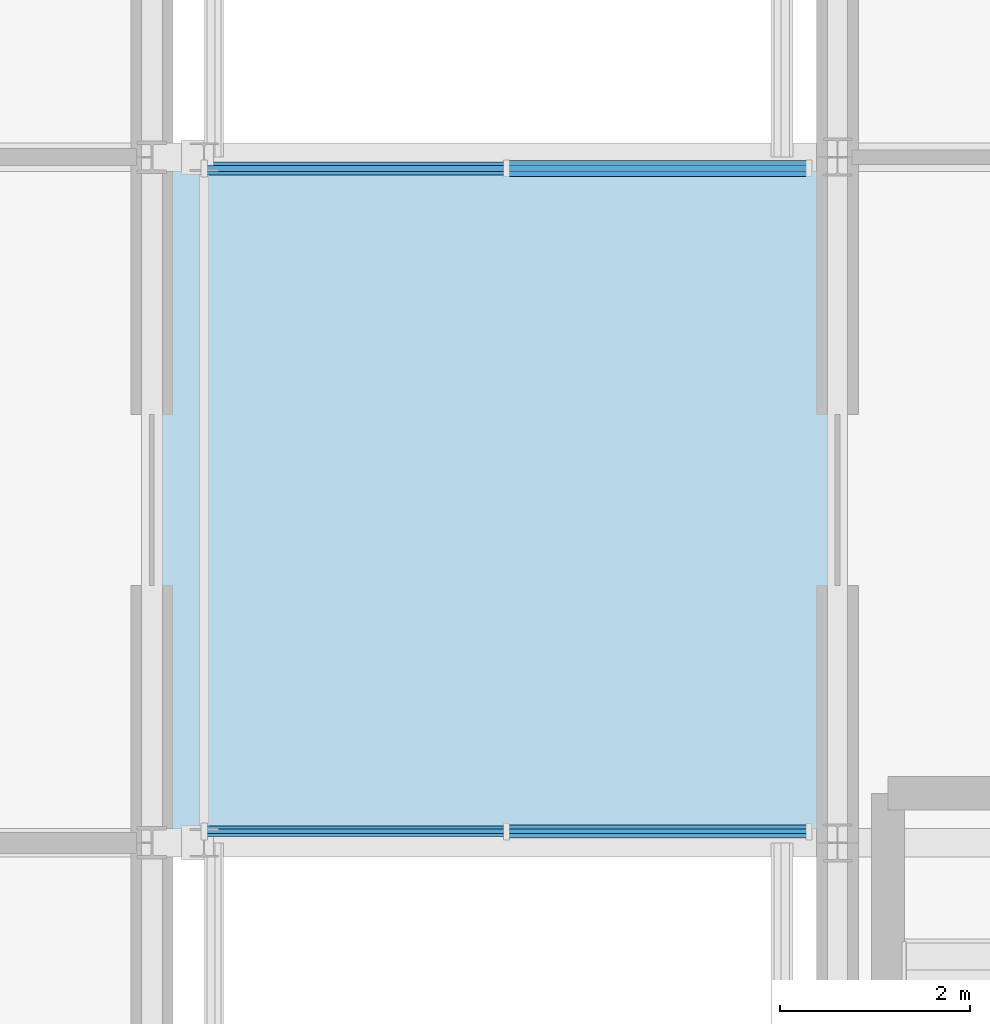
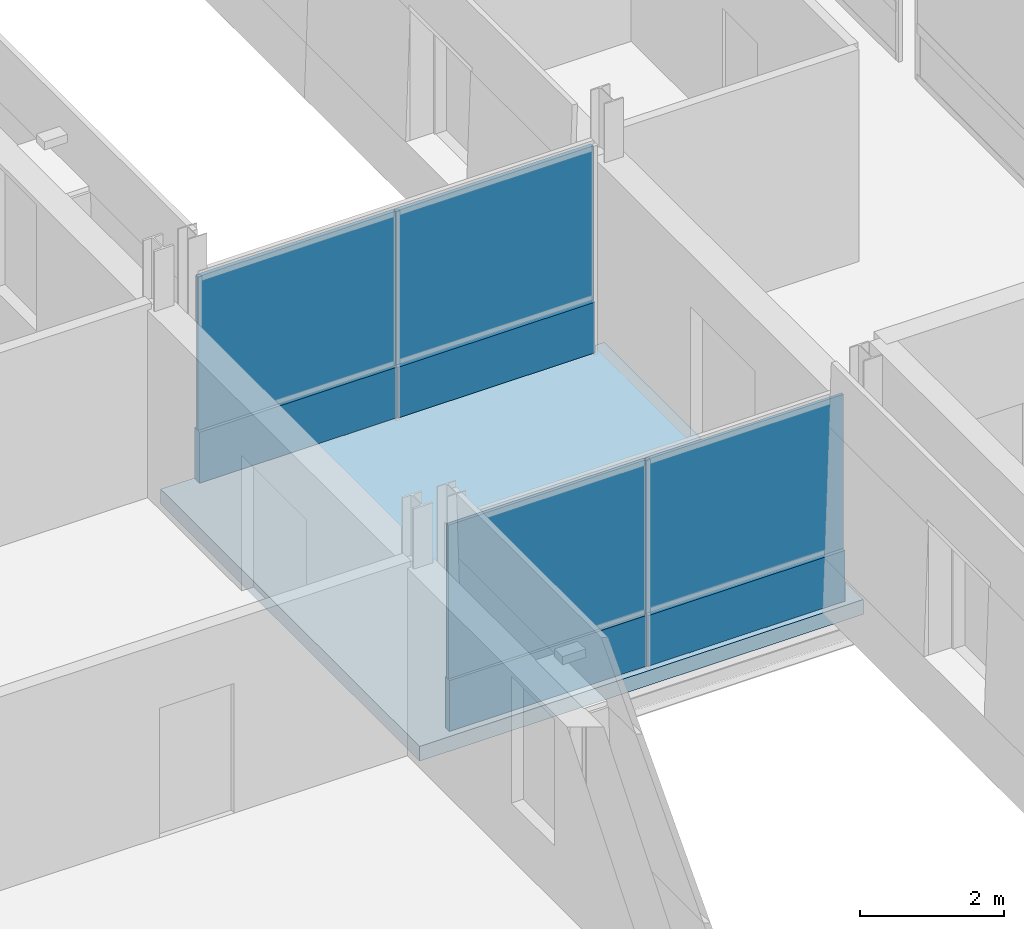
# One storey, part 50 of 115: 8 plates, 1 slab, 2 elements without a shape of their own.
"""IFC4 building model written with IfcOpenShell, lengths in metres."""

from ifc_helpers import new_model, si_unit, direction, frame, origin, origin_2d, place, context, subcontext, project, spatial, polyline, rectangle, outline, extrude, material, layer, layer_set, type_object, element, aggregate, save


model = new_model("IFC4")

# Units and contexts
model_context = context("Model", 3, precision=1e-05, world=origin(), true_north=direction((0.0, 1.0)))
body_context = subcontext(model_context, "Body", "Model", "MODEL_VIEW")
ifc_project = project(units=[si_unit("LENGTHUNIT", "METRE"), si_unit("AREAUNIT", "SQUARE_METRE"), si_unit("VOLUMEUNIT", "CUBIC_METRE"), si_unit("PLANEANGLEUNIT", "RADIAN"), si_unit("MASSUNIT", "GRAM", prefix="KILO")], contexts=[model_context])

# Site, building, storey
site_placement = place(None, origin())
site = spatial("IfcSite", under=ifc_project, at=site_placement, CompositionType="ELEMENT")
building_placement = place(site_placement, origin())
building = spatial("IfcBuilding", under=site, at=building_placement, Name="Narikvali Park Central Library", CompositionType="ELEMENT")
storey_placement = place(building_placement, frame((0.0, 0.0, 10.199951171875)))
storey = spatial("IfcBuildingStorey", under=building, at=storey_placement, Name="L02", CompositionType="ELEMENT", Elevation=10.199951171875)

# Slab
ifc_material_1 = material(Name="Concrete C40/50", Category="concrete")
ifc_layer_1 = layer(ifc_material_1, 0.25, Name="Concrete C40/50")
ifc_layer_set_1 = layer_set([ifc_layer_1], Name="Concrete C40/50")
slab_type = type_object("IfcSlabType", Name="Bridge Sliding Deck Slab 250", PredefinedType="FLOOR", material=ifc_layer_set_1)
slab_placement = place(storey_placement, frame((0.0, 0.0, -0.25)))
element("IfcSlab", 1, at=slab_placement, inside=storey, type_object=slab_type, Name="BRG-1 L02 Covered Bridge Deck", PredefinedType="FLOOR", context=body_context, shape_type="SweptSolid", body=[
    extrude(outline(polyline([(21.639892578125, 64.800048828125), (28.760009765625, 64.800048828125), (28.760009765625, 72.0), (21.639892578125, 72.0), (21.639892578125, 64.800048828125)])), origin(), (0.0, 0.0, 1.0), 0.25),
])

# Curtain wall, plates
ifc_material_2 = material(Name="Anodised Bronze Aluminium", Category="aluminium")
ifc_layer_2 = layer(ifc_material_2, 0.219970703125, Name="Anodised Bronze Aluminium")
ifc_layer_set_2 = layer_set([ifc_layer_2], Name="Anodised Bronze Aluminium")
curtain_wall_type = type_object("IfcCurtainWallType", Name="Bridge Covered Passage Glazing System", PredefinedType="NOTDEFINED", material=ifc_layer_set_2)
curtain_wall_1_placement = place(storey_placement, origin())
curtain_wall_1 = element("IfcCurtainWall", 2, at=curtain_wall_1_placement, inside=storey, type_object=curtain_wall_type, Name="Bridge Covered Passage Glazing System CW-BRG-1-L02-N1", PredefinedType="NOTDEFINED")
ifc_material_3 = material(Name="Anodised Bronze Acoustic Spandrel Cassette")
ifc_layer_3 = layer(ifc_material_3, 0.1650390625, Name="Anodised Bronze Acoustic Spandrel Cassette")
ifc_layer_set_3 = layer_set([ifc_layer_3], Name="Anodised Bronze Acoustic Spandrel Cassette")
plate_type_1 = type_object("IfcPlateType", Name="Curtain Wall Acoustic Plenum Louvre Cassette 165", PredefinedType="CURTAIN_PANEL", material=ifc_layer_set_3)
plate_1_placement = place(storey_placement, frame((26.91259765625, 71.8798828125, 0.03515625), z_axis=(0.0, 0.0, 1.0), x_axis=(1.0, 0.0, 0.0)))
plate_1 = element("IfcPlate", 3, at=plate_1_placement, type_object=plate_type_1, Name="CW-BRG-1-L02-N1 Panel 01-0", PredefinedType="CURTAIN_PANEL", context=body_context, shape_type="SweptSolid", body=[
    extrude(rectangle(XDim=3.1650390625, YDim=0.1650390625, at=origin_2d()), origin(), (0.0, 0.0, 1.0), 0.860107421875),
])
ifc_material_4 = material(Name="Heavy Acoustic Laminated Clerestory Glazing", Category="glass")
ifc_layer_4 = layer(ifc_material_4, 0.06396484375, Name="Heavy Acoustic Laminated Clerestory Glazing")
ifc_layer_set_4 = layer_set([ifc_layer_4], Name="Heavy Acoustic Laminated Clerestory Glazing")
plate_type_2 = type_object("IfcPlateType", Name="Curtain Wall Clerestory Laminated Acoustic Glass 64", PredefinedType="CURTAIN_PANEL", material=ifc_layer_set_4)
plate_2_placement = place(storey_placement, frame((23.737548828125, 71.8798828125, 0.90478515625), z_axis=(0.0, 0.0, 1.0), x_axis=(1.0, 0.0, 0.0)))
plate_2 = element("IfcPlate", 4, at=plate_2_placement, type_object=plate_type_2, Name="CW-BRG-1-L02-N1 Panel 00-1", PredefinedType="CURTAIN_PANEL", context=body_context, shape_type="SweptSolid", body=[
    extrude(rectangle(XDim=3.1650390625, YDim=0.06396484375, at=origin_2d()), origin(), (0.0, 0.0, 1.0), 2.610107421875),
])
plate_3_placement = place(storey_placement, frame((26.91259765625, 71.8798828125, 0.90478515625), z_axis=(0.0, 0.0, 1.0), x_axis=(1.0, 0.0, 0.0)))
plate_3 = element("IfcPlate", 5, at=plate_3_placement, type_object=plate_type_2, Name="CW-BRG-1-L02-N1 Panel 01-1", PredefinedType="CURTAIN_PANEL", context=body_context, shape_type="SweptSolid", body=[
    extrude(rectangle(XDim=3.1650390625, YDim=0.06396484375, at=origin_2d()), origin(), (0.0, 0.0, 1.0), 2.610107421875),
])

curtain_wall_2_placement = place(storey_placement, origin())
curtain_wall_2 = element("IfcCurtainWall", 6, at=curtain_wall_2_placement, inside=storey, type_object=curtain_wall_type, Name="Bridge Covered Passage Glazing System CW-BRG-1-L02-S1", PredefinedType="NOTDEFINED")
ifc_material_5 = material(Name="Anodised Bronze Insulated Spandrel Cassette")
ifc_layer_5 = layer(ifc_material_5, 0.110107421875, Name="Anodised Bronze Insulated Spandrel Cassette")
ifc_layer_set_5 = layer_set([ifc_layer_5], Name="Anodised Bronze Insulated Spandrel Cassette")
plate_type_3 = type_object("IfcPlateType", Name="Curtain Wall Insulated Bronze Spandrel Cassette 110", PredefinedType="CURTAIN_PANEL", material=ifc_layer_set_5)
plate_4_placement = place(storey_placement, frame((23.737548828125, 64.919921875, 0.03515625), z_axis=(0.0, 0.0, 1.0), x_axis=(1.0, 0.0, 0.0)))
plate_4 = element("IfcPlate", 7, at=plate_4_placement, type_object=plate_type_3, Name="CW-BRG-1-L02-S1 Panel 00-0", PredefinedType="CURTAIN_PANEL", context=body_context, shape_type="SweptSolid", body=[
    extrude(rectangle(XDim=3.1650390625, YDim=0.110107421875, at=origin_2d()), origin(), (0.0, 0.0, 1.0), 0.860107421875),
])
ifc_material_6 = material(Name="Mineral-Wool Shadow-Box Spandrel Assembly")
ifc_layer_6 = layer(ifc_material_6, 0.139892578125, Name="Mineral-Wool Shadow-Box Spandrel Assembly")
ifc_layer_set_6 = layer_set([ifc_layer_6], Name="Mineral-Wool Shadow-Box Spandrel Assembly")
plate_type_4 = type_object("IfcPlateType", Name="Curtain Wall Shadow-Box Mineral Spandrel Panel 140", PredefinedType="CURTAIN_PANEL", material=ifc_layer_set_6)
plate_5_placement = place(storey_placement, frame((26.91259765625, 64.919921875, 0.03515625), z_axis=(0.0, 0.0, 1.0), x_axis=(1.0, 0.0, 0.0)))
plate_5 = element("IfcPlate", 8, at=plate_5_placement, type_object=plate_type_4, Name="CW-BRG-1-L02-S1 Panel 01-0", PredefinedType="CURTAIN_PANEL", context=body_context, shape_type="SweptSolid", body=[
    extrude(rectangle(XDim=3.1650390625, YDim=0.139892578125, at=origin_2d()), origin(), (0.0, 0.0, 1.0), 0.860107421875),
])

# Plate
plate_6_placement = place(storey_placement, frame((23.737548828125, 71.8798828125, 0.03515625), z_axis=(0.0, 0.0, 1.0), x_axis=(1.0, 0.0, 0.0)))
plate_6 = element("IfcPlate", 9, at=plate_6_placement, type_object=plate_type_4, Name="CW-BRG-1-L02-N1 Panel 00-0", PredefinedType="CURTAIN_PANEL", context=body_context, shape_type="SweptSolid", body=[
    extrude(rectangle(XDim=3.1650390625, YDim=0.139892578125, at=origin_2d()), origin(), (0.0, 0.0, 1.0), 0.860107421875),
])

aggregate(curtain_wall_1, [plate_6, plate_2, plate_1, plate_3])

ifc_material_7 = material(Name="Triple Low-E Acoustic Laminated Glazing", Category="glass")
ifc_layer_7 = layer(ifc_material_7, 0.048095703125, Name="Triple Low-E Acoustic Laminated Glazing")
ifc_layer_set_7 = layer_set([ifc_layer_7], Name="Triple Low-E Acoustic Laminated Glazing")
plate_type_5 = type_object("IfcPlateType", Name="Curtain Wall Triple Solar-Acoustic Glazing 48", PredefinedType="CURTAIN_PANEL", material=ifc_layer_set_7)
plate_7_placement = place(storey_placement, frame((23.737548828125, 64.919921875, 0.90478515625), z_axis=(0.0, 0.0, 1.0), x_axis=(1.0, 0.0, 0.0)))
plate_7 = element("IfcPlate", 10, at=plate_7_placement, type_object=plate_type_5, Name="CW-BRG-1-L02-S1 Panel 00-1", PredefinedType="CURTAIN_PANEL", context=body_context, shape_type="SweptSolid", body=[
    extrude(rectangle(XDim=3.1650390625, YDim=0.048095703125, at=origin_2d()), origin(), (0.0, 0.0, 1.0), 2.610107421875),
])

plate_8_placement = place(storey_placement, frame((26.91259765625, 64.919921875, 0.90478515625), z_axis=(0.0, 0.0, 1.0), x_axis=(1.0, 0.0, 0.0)))
plate_8 = element("IfcPlate", 11, at=plate_8_placement, type_object=plate_type_5, Name="CW-BRG-1-L02-S1 Panel 01-1", PredefinedType="CURTAIN_PANEL", context=body_context, shape_type="SweptSolid", body=[
    extrude(rectangle(XDim=3.1650390625, YDim=0.048095703125, at=origin_2d()), origin(), (0.0, 0.0, 1.0), 2.610107421875),
])

aggregate(curtain_wall_2, [plate_4, plate_7, plate_5, plate_8])

save(model, "model.ifc")
